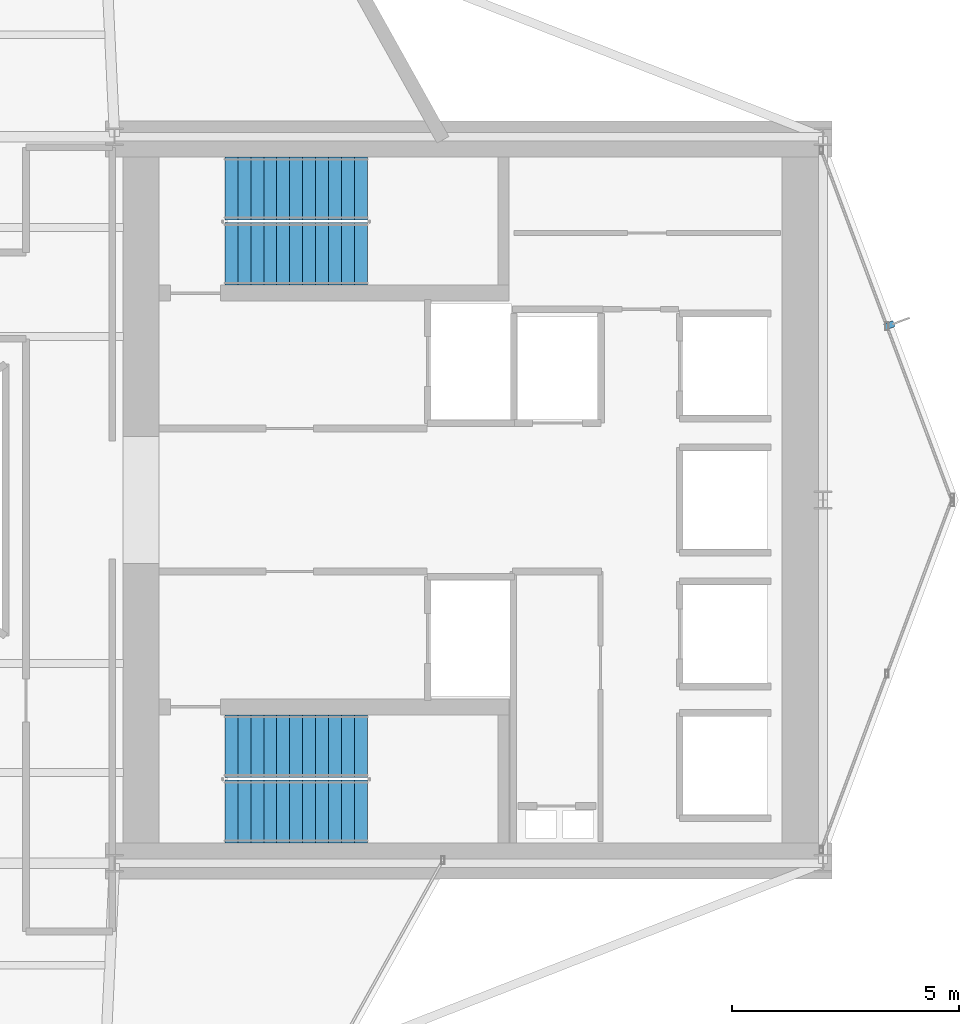
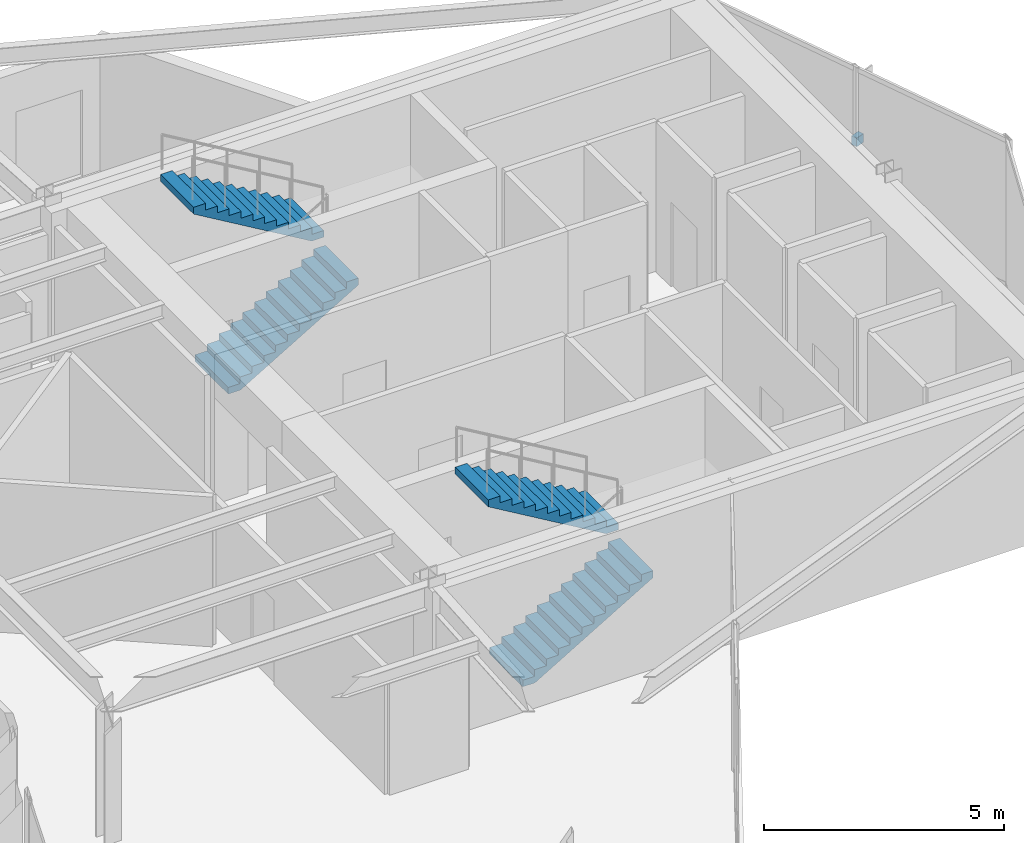
# One storey, part 21 of 23: 4 stair flights, 1 discrete accessory, 2 elements without a shape of their own.
"""IFC4 building model written with IfcOpenShell, lengths in metres."""

from ifc_helpers import new_model, si_unit, direction, frame, origin, origin_2d, place, context, subcontext, project, spatial, polyline, rectangle, outline, extrude, material, layer, layer_set, type_object, element, aggregate, save


model = new_model("IFC4")

# Units and contexts
model_context = context("Model", 3, precision=1e-05, world=origin(), true_north=direction((0.0, 1.0)))
body_context = subcontext(model_context, "Body", "Model", "MODEL_VIEW")
ifc_project = project(units=[si_unit("LENGTHUNIT", "METRE"), si_unit("AREAUNIT", "SQUARE_METRE"), si_unit("VOLUMEUNIT", "CUBIC_METRE"), si_unit("PLANEANGLEUNIT", "RADIAN"), si_unit("MASSUNIT", "GRAM", prefix="KILO")], contexts=[model_context])

# Site, building, storey
site_placement = place(None, origin())
site = spatial("IfcSite", under=ifc_project, at=site_placement, CompositionType="ELEMENT")
building_placement = place(site_placement, origin())
building = spatial("IfcBuilding", under=site, at=building_placement, Name="Veymaron Broadcast Tower", CompositionType="ELEMENT")
storey_placement = place(building_placement, frame((0.0, 0.0, 161.39990234375)))
storey = spatial("IfcBuildingStorey", under=building, at=storey_placement, Name="L37", CompositionType="ELEMENT", Elevation=161.39990234375)

# Stair, stair flights
ifc_material_1 = material(Name="Concrete C50/60", Category="concrete")
stair_type_1 = type_object("IfcStairType", Name="STAIR-CORE-1", PredefinedType="HALF_TURN_STAIR", material=ifc_material_1)
stair_1_placement = place(storey_placement, origin())
stair_1 = element("IfcStair", 1, at=stair_1_placement, inside=storey, type_object=stair_type_1, Name="L37 North protected dog-leg exit stair ST1", PredefinedType="HALF_TURN_STAIR")
ifc_material_2 = material(Name="Precast concrete C50/60", Category="concrete")
stair_flight_type = type_object("IfcStairFlightType", Name="FLT-CORE-RC", PredefinedType="STRAIGHT", material=ifc_material_2)
stair_flight_1_placement = place(storey_placement, frame((41.429931640625, 29.419921875, 0.0), z_axis=(0.0, 0.0, 1.0), x_axis=(1.0, 0.0, 0.0)))
stair_flight_1 = element("IfcStairFlight", 2, at=stair_flight_1_placement, type_object=stair_flight_type, Name="ST1 flight 1", NumberOfRisers=12, NumberOfTreads=11, PredefinedType="STRAIGHT", RiserHeight=0.16875, TreadLength=0.285, context=body_context, shape_type="SweptSolid", body=[
    extrude(outline(polyline([(0.0, 0.0), (0.0, 0.168701171875), (0.284912109375, 0.168701171875), (0.284912109375, 0.33740234375), (0.570068359375, 0.33740234375), (0.570068359375, 0.50634765625), (0.85498046875, 0.50634765625), (0.85498046875, 0.675048828125), (1.139892578125, 0.675048828125), (1.139892578125, 0.84375), (1.425048828125, 0.84375), (1.425048828125, 1.012451171875), (1.7099609375, 1.012451171875), (1.7099609375, 1.18115234375), (1.9951171875, 1.18115234375), (1.9951171875, 1.35009765625), (2.280029296875, 1.35009765625), (2.280029296875, 1.518798828125), (2.56494140625, 1.518798828125), (2.56494140625, 1.6875), (2.85009765625, 1.6875), (2.85009765625, 1.856201171875), (3.135009765625, 1.856201171875), (3.135009765625, 2.02490234375), (3.135009765625, 1.68212890625), (0.294189453125, 0.0), (0.0, 0.0)])), frame((0.0, 0.68994140625, 0.0), z_axis=(0.0, -1.0, 0.0), x_axis=(1.0, 0.0, 0.0)), (0.0, 0.0, 1.0), 1.3798828125),
])
stair_flight_2_placement = place(storey_placement, frame((44.56494140625, 30.860107421875, 2.025146484375), z_axis=(0.0, 0.0, 1.0), x_axis=(-1.0, 0.0, 0.0)))
stair_flight_2 = element("IfcStairFlight", 3, at=stair_flight_2_placement, type_object=stair_flight_type, Name="ST1 flight 2", NumberOfRisers=12, NumberOfTreads=11, PredefinedType="STRAIGHT", RiserHeight=0.16875, TreadLength=0.285, context=body_context, shape_type="SweptSolid", body=[
    extrude(outline(polyline([(0.0, 0.0), (0.0, 0.168701171875), (0.284912109375, 0.168701171875), (0.284912109375, 0.33740234375), (0.570068359375, 0.33740234375), (0.570068359375, 0.50634765625), (0.85498046875, 0.50634765625), (0.85498046875, 0.675048828125), (1.139892578125, 0.675048828125), (1.139892578125, 0.84375), (1.425048828125, 0.84375), (1.425048828125, 1.012451171875), (1.7099609375, 1.012451171875), (1.7099609375, 1.18115234375), (1.9951171875, 1.18115234375), (1.9951171875, 1.35009765625), (2.280029296875, 1.35009765625), (2.280029296875, 1.518798828125), (2.56494140625, 1.518798828125), (2.56494140625, 1.6875), (2.85009765625, 1.6875), (2.85009765625, 1.856201171875), (3.135009765625, 1.856201171875), (3.135009765625, 2.02490234375), (3.135009765625, 1.68212890625), (0.294189453125, 0.0), (0.0, 0.0)])), frame((0.0, 0.68994140625, 0.0), z_axis=(0.0, -1.0, 0.0), x_axis=(1.0, 0.0, 0.0)), (0.0, 0.0, 1.0), 1.3798828125),
])
aggregate(stair_1, [stair_flight_1, stair_flight_2])

stair_type_2 = type_object("IfcStairType", Name="STAIR-CORE-2", PredefinedType="HALF_TURN_STAIR", material=ifc_material_1)
stair_2_placement = place(storey_placement, origin())
stair_2 = element("IfcStair", 4, at=stair_2_placement, inside=storey, type_object=stair_type_2, Name="L37 South protected dog-leg exit stair ST2", PredefinedType="HALF_TURN_STAIR")
stair_flight_3_placement = place(storey_placement, frame((41.429931640625, 17.139892578125, 0.0), z_axis=(0.0, 0.0, 1.0), x_axis=(1.0, 0.0, 0.0)))
stair_flight_3 = element("IfcStairFlight", 5, at=stair_flight_3_placement, type_object=stair_flight_type, Name="ST2 flight 1", NumberOfRisers=12, NumberOfTreads=11, PredefinedType="STRAIGHT", RiserHeight=0.16875, TreadLength=0.285, context=body_context, shape_type="SweptSolid", body=[
    extrude(outline(polyline([(0.0, 0.0), (0.0, 0.168701171875), (0.284912109375, 0.168701171875), (0.284912109375, 0.33740234375), (0.570068359375, 0.33740234375), (0.570068359375, 0.50634765625), (0.85498046875, 0.50634765625), (0.85498046875, 0.675048828125), (1.139892578125, 0.675048828125), (1.139892578125, 0.84375), (1.425048828125, 0.84375), (1.425048828125, 1.012451171875), (1.7099609375, 1.012451171875), (1.7099609375, 1.18115234375), (1.9951171875, 1.18115234375), (1.9951171875, 1.35009765625), (2.280029296875, 1.35009765625), (2.280029296875, 1.518798828125), (2.56494140625, 1.518798828125), (2.56494140625, 1.6875), (2.85009765625, 1.6875), (2.85009765625, 1.856201171875), (3.135009765625, 1.856201171875), (3.135009765625, 2.02490234375), (3.135009765625, 1.68212890625), (0.294189453125, 0.0), (0.0, 0.0)])), frame((0.0, 0.68994140625, 0.0), z_axis=(0.0, -1.0, 0.0), x_axis=(1.0, 0.0, 0.0)), (0.0, 0.0, 1.0), 1.3798828125),
])
stair_flight_4_placement = place(storey_placement, frame((44.56494140625, 18.580078125, 2.025146484375), z_axis=(0.0, 0.0, 1.0), x_axis=(-1.0, 0.0, 0.0)))
stair_flight_4 = element("IfcStairFlight", 6, at=stair_flight_4_placement, type_object=stair_flight_type, Name="ST2 flight 2", NumberOfRisers=12, NumberOfTreads=11, PredefinedType="STRAIGHT", RiserHeight=0.16875, TreadLength=0.285, context=body_context, shape_type="SweptSolid", body=[
    extrude(outline(polyline([(0.0, 0.0), (0.0, 0.168701171875), (0.284912109375, 0.168701171875), (0.284912109375, 0.33740234375), (0.570068359375, 0.33740234375), (0.570068359375, 0.50634765625), (0.85498046875, 0.50634765625), (0.85498046875, 0.675048828125), (1.139892578125, 0.675048828125), (1.139892578125, 0.84375), (1.425048828125, 0.84375), (1.425048828125, 1.012451171875), (1.7099609375, 1.012451171875), (1.7099609375, 1.18115234375), (1.9951171875, 1.18115234375), (1.9951171875, 1.35009765625), (2.280029296875, 1.35009765625), (2.280029296875, 1.518798828125), (2.56494140625, 1.518798828125), (2.56494140625, 1.6875), (2.85009765625, 1.6875), (2.85009765625, 1.856201171875), (3.135009765625, 1.856201171875), (3.135009765625, 2.02490234375), (3.135009765625, 1.68212890625), (0.294189453125, 0.0), (0.0, 0.0)])), frame((0.0, 0.68994140625, 0.0), z_axis=(0.0, -1.0, 0.0), x_axis=(1.0, 0.0, 0.0)), (0.0, 0.0, 1.0), 1.3798828125),
])
aggregate(stair_2, [stair_flight_3, stair_flight_4])

# Discrete accessory
ifc_material_3 = material(Name="Austenitic stainless steel AISI 316L", Category="steel")
ifc_layer = layer(ifc_material_3, 0.1201171875)
ifc_layer_set = layer_set([ifc_layer], Name="Austenitic stainless steel AISI 316L")
discrete_accessory_type = type_object("IfcDiscreteAccessoryType", Name="ACC-BRKT-SS1", PredefinedType="BRACKET", material=ifc_layer_set)
discrete_accessory_placement = place(storey_placement, frame((56.06298828125, 27.84619140625, 1.794921875), z_axis=(0.0, 0.0, 1.0), x_axis=(0.937020125174, 0.349275371331, 0.0)))
element("IfcDiscreteAccessory", 7, at=discrete_accessory_placement, inside=storey, type_object=discrete_accessory_type, Name="CW-L37-E4-1 fin bracket 1", PredefinedType="BRACKET", context=body_context, shape_type="SweptSolid", body=[
    extrude(rectangle(XDim=0.219970703125, YDim=0.139892578125, at=origin_2d()), origin(), (0.0, 0.0, 1.0), 0.219970703125),
])

save(model, "model.ifc")
